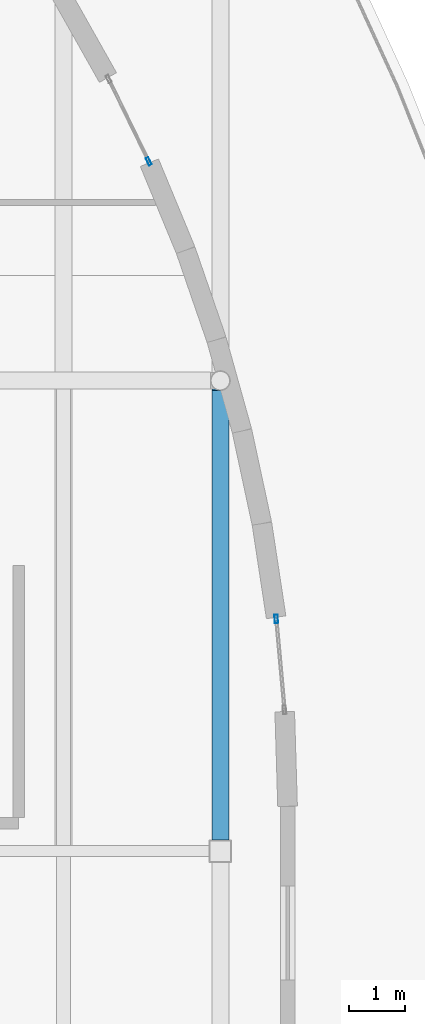
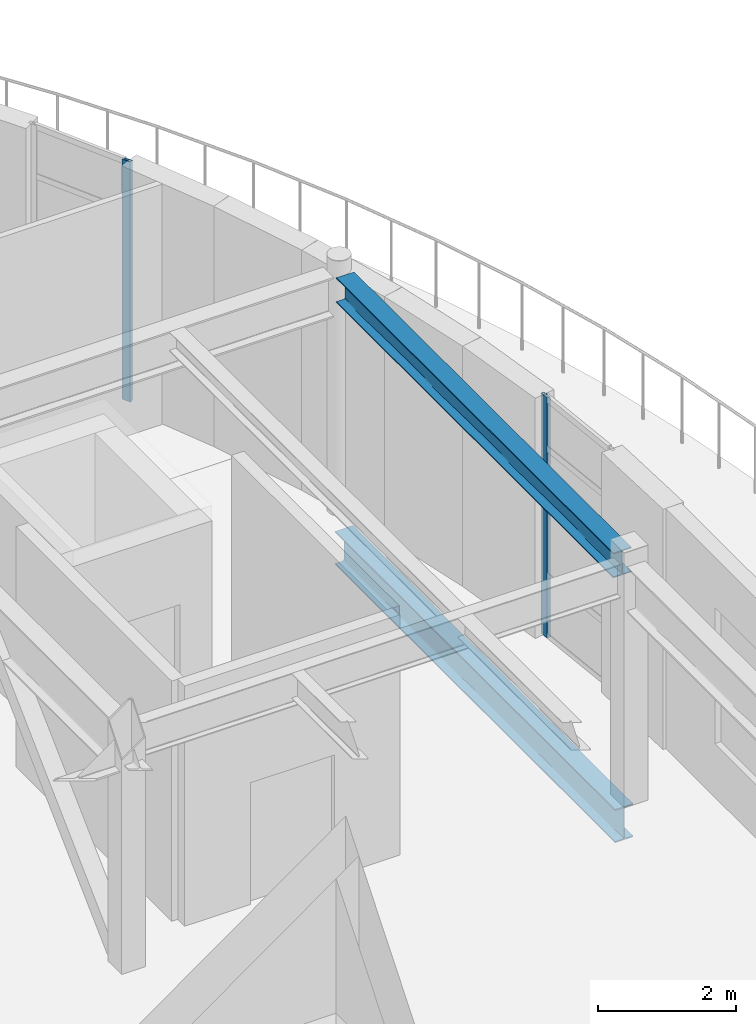
# One storey, part 12 of 26: 2 beams, 2 members, 2 elements without a shape of their own.
"""IFC4 building model written with IfcOpenShell, lengths in metres."""

from ifc_helpers import new_model, si_unit, direction, frame, origin, origin_2d, place, context, subcontext, project, spatial, hollow_rectangle, i_section, extrude, material, layer, layer_set, material_profile, profile_set, type_object, element, aggregate, save


model = new_model("IFC4")

# Units and contexts
model_context = context("Model", 3, precision=1e-05, world=origin(), true_north=direction((0.0, 1.0)))
body_context = subcontext(model_context, "Body", "Model", "MODEL_VIEW")
ifc_project = project(units=[si_unit("LENGTHUNIT", "METRE"), si_unit("AREAUNIT", "SQUARE_METRE"), si_unit("VOLUMEUNIT", "CUBIC_METRE"), si_unit("PLANEANGLEUNIT", "RADIAN"), si_unit("MASSUNIT", "GRAM", prefix="KILO"), si_unit("THERMODYNAMICTEMPERATUREUNIT", "KELVIN")], contexts=[model_context])

# Site, building, storey
site_placement = place(None, origin())
site = spatial("IfcSite", under=ifc_project, at=site_placement, CompositionType="ELEMENT")
building_placement = place(site_placement, origin())
building = spatial("IfcBuilding", under=site, at=building_placement, Name="Lustrewick Department Store", CompositionType="ELEMENT")
storey_placement = place(building_placement, frame((0.0, 0.0, 36.300048828125)))
storey = spatial("IfcBuildingStorey", under=building, at=storey_placement, Name="L08", CompositionType="ELEMENT", Elevation=36.300048828125)

# Curtain wall, member
ifc_material_1 = material(Name="Thermally broken aluminium 6063-T5", Category="aluminium")
ifc_layer_1 = layer(ifc_material_1, 0.14990234375, Name="Thermally broken aluminium 6063-T5")
ifc_layer_set_1 = layer_set([ifc_layer_1], Name="Thermally broken aluminium 6063-T5")
curtain_wall_type_1 = type_object("IfcCurtainWallType", Name="CW05", PredefinedType="NOTDEFINED", material=ifc_layer_set_1)
curtain_wall_1_placement = place(storey_placement, origin())
curtain_wall_1 = element("IfcCurtainWall", 1, at=curtain_wall_1_placement, inside=storey, type_object=curtain_wall_type_1, Name="L08 V4 Curtain Wall CW05", PredefinedType="NOTDEFINED")
ifc_material_profile_1 = material_profile(ifc_material_1, hollow_rectangle(XDim=0.06005859375, YDim=0.14990234375, WallThickness=0.00341796875, at=origin_2d()), Name="ALU-M 60x150x3.5")
ifc_profile_set_1 = profile_set([ifc_material_profile_1], Name="Thermally broken aluminium 6063-T5")
member_type_1 = type_object("IfcMemberType", Name="CW05-M1", PredefinedType="MULLION", material=ifc_profile_set_1)
member_1_placement = place(storey_placement, frame((143.798583984375, 62.945068359375, 0.0), z_axis=(0.0, 0.0, 1.0), x_axis=(-0.995894660223, -0.090519753315, 0.0)))
member_1 = element("IfcMember", 2, at=member_1_placement, type_object=member_type_1, Name="CW05 mullion 2", PredefinedType="MULLION", context=body_context, shape_type="SweptSolid", body=[
    extrude(hollow_rectangle(XDim=0.06005859375, YDim=0.14990234375, WallThickness=0.00341796875, at=origin_2d()), origin(), (0.0, 0.0, 1.0), 4.244873046875),
])
aggregate(curtain_wall_1, [member_1])

ifc_layer_2 = layer(ifc_material_1, 0.139892578125, Name="Thermally broken aluminium 6063-T5")
ifc_layer_set_2 = layer_set([ifc_layer_2], Name="Thermally broken aluminium 6063-T5")
curtain_wall_type_2 = type_object("IfcCurtainWallType", Name="CW06", PredefinedType="NOTDEFINED", material=ifc_layer_set_2)
curtain_wall_2_placement = place(storey_placement, origin())
curtain_wall_2 = element("IfcCurtainWall", 3, at=curtain_wall_2_placement, inside=storey, type_object=curtain_wall_type_2, Name="L08 V4 Curtain Wall CW06", PredefinedType="NOTDEFINED")
ifc_material_profile_2 = material_profile(ifc_material_1, hollow_rectangle(XDim=0.054931640625, YDim=0.139892578125, WallThickness=0.00341796875, at=origin_2d()), Name="ALU-M 55x140x3.5")
ifc_profile_set_2 = profile_set([ifc_material_profile_2], Name="Thermally broken aluminium 6063-T5")
member_type_2 = type_object("IfcMemberType", Name="CW06-M1", PredefinedType="MULLION", material=ifc_profile_set_2)
member_2_placement = place(storey_placement, frame((141.521240234375, 71.1162109375, 0.0), z_axis=(0.0, 0.0, 1.0), x_axis=(-0.89908416205, -0.437775821113, 0.0)))
member_2 = element("IfcMember", 4, at=member_2_placement, type_object=member_type_2, Name="CW06 mullion 1", PredefinedType="MULLION", context=body_context, shape_type="SweptSolid", body=[
    extrude(hollow_rectangle(XDim=0.054931640625, YDim=0.139892578125, WallThickness=0.00341796875, at=origin_2d()), origin(), (0.0, 0.0, 1.0), 4.244873046875),
])
aggregate(curtain_wall_2, [member_2])

# Beams
ifc_material_2 = material(Name="Structural steel Q355B", Category="steel")
ifc_material_profile_3 = material_profile(ifc_material_2, i_section(OverallWidth=0.300048828125, OverallDepth=0.587890625, WebThickness=0.011962890625, FlangeThickness=0.02001953125, FilletRadius=0.02392578125, at=origin_2d()), Name="HM 588x300x12x20")
ifc_profile_set_3 = profile_set([ifc_material_profile_3], Name="Structural steel Q355B")
beam_type_1 = type_object("IfcBeamType", Name="G11", PredefinedType="BEAM", material=ifc_profile_set_3)
beam_1_placement = place(storey_placement, frame((142.800048828125, 58.947021484375, -0.549072265625), z_axis=(0.0, 1.0, 0.0), x_axis=(-1.0, 0.0, 0.0)))
element("IfcBeam", 5, at=beam_1_placement, inside=storey, type_object=beam_type_1, Name="L08 V4 Girder G11", PredefinedType="BEAM", context=body_context, shape_type="SweptSolid", body=[
    extrude(i_section(OverallWidth=0.300048828125, OverallDepth=0.587890625, WebThickness=0.011962890625, FlangeThickness=0.02001953125, FilletRadius=0.02392578125, at=origin_2d()), origin(), (0.0, 0.0, 1.0), 8.10595703125),
])
ifc_material_profile_4 = material_profile(ifc_material_2, i_section(OverallWidth=0.300048828125, OverallDepth=0.43994140625, WebThickness=0.010986328125, FlangeThickness=0.01806640625, FilletRadius=0.02001953125, at=origin_2d()), Name="HM 440x300x11x18")
ifc_profile_set_4 = profile_set([ifc_material_profile_4], Name="Structural steel Q355B")
beam_type_2 = type_object("IfcBeamType", Name="SP02", PredefinedType="SPANDREL", material=ifc_profile_set_4)
beam_2_placement = place(storey_placement, frame((142.800048828125, 59.0, 4.02490234375), z_axis=(0.0, 1.0, 0.0), x_axis=(-1.0, 0.0, 0.0)))
element("IfcBeam", 6, at=beam_2_placement, inside=storey, type_object=beam_type_2, Name="L08 V4 Girder SP02", PredefinedType="SPANDREL", context=body_context, shape_type="SweptSolid", body=[
    extrude(i_section(OverallWidth=0.300048828125, OverallDepth=0.43994140625, WebThickness=0.010986328125, FlangeThickness=0.01806640625, FilletRadius=0.02001953125, at=origin_2d()), origin(), (0.0, 0.0, 1.0), 8.02197265625),
])

save(model, "model.ifc")
